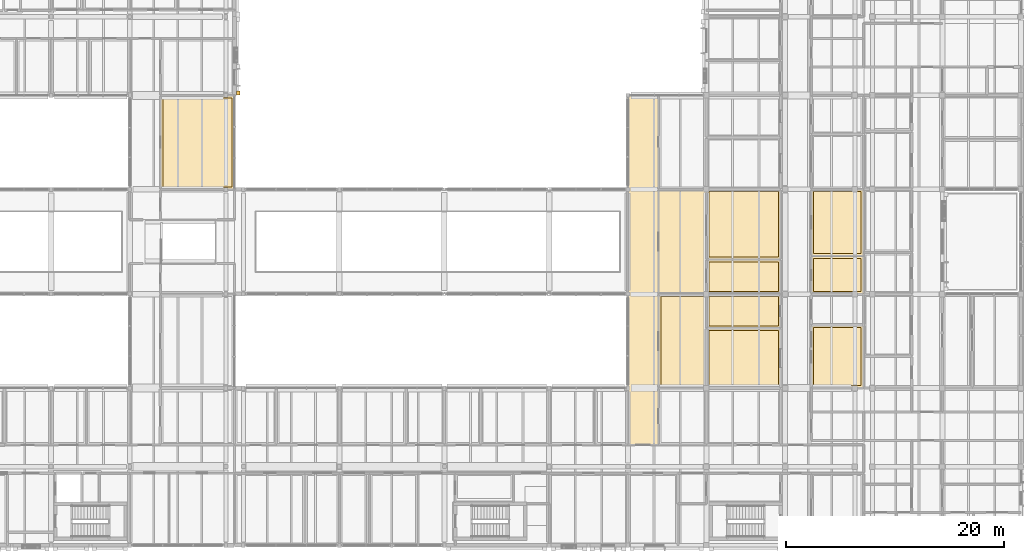
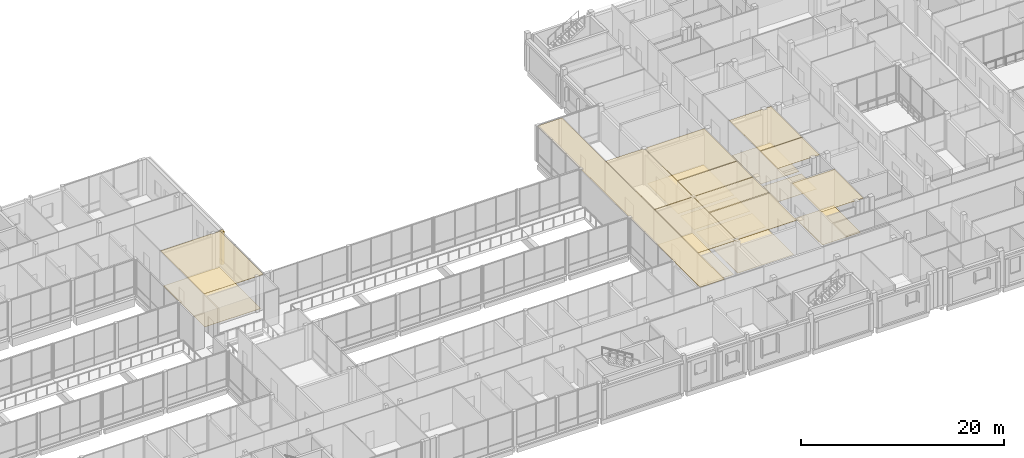
# One storey, part 140 of 146: 21 coverings.
"""IFC4 building model written with IfcOpenShell, lengths in metres."""

from ifc_helpers import new_model, si_unit, direction, frame, origin, origin_2d, place, context, subcontext, project, spatial, polyline, rectangle, outline, extrude, material, layer, layer_set, type_object, element, save


model = new_model("IFC4")

# Units and contexts
model_context = context("Model", 3, precision=1e-05, world=origin(), true_north=direction((0.0, 1.0)))
body_context = subcontext(model_context, "Body", "Model", "MODEL_VIEW")
ifc_project = project(units=[si_unit("LENGTHUNIT", "METRE"), si_unit("AREAUNIT", "SQUARE_METRE"), si_unit("VOLUMEUNIT", "CUBIC_METRE"), si_unit("PLANEANGLEUNIT", "RADIAN"), si_unit("MASSUNIT", "GRAM", prefix="KILO")], contexts=[model_context])

# Site, building, storey
site_placement = place(None, origin())
site = spatial("IfcSite", under=ifc_project, at=site_placement, CompositionType="ELEMENT")
building_placement = place(site_placement, origin())
building = spatial("IfcBuilding", under=site, at=building_placement, Name="Hawrajan Terrace Health Centre", CompositionType="ELEMENT")
storey_placement = place(building_placement, frame((0.0, 0.0, 4.5)))
storey = spatial("IfcBuildingStorey", under=building, at=storey_placement, Name="L01", CompositionType="ELEMENT", Elevation=4.5)

# Coverings
ifc_material_1 = material(Name="Precast concrete C40/50", Category="concrete")
ifc_layer_1 = layer(ifc_material_1, 0.340087890625)
ifc_layer_set_1 = layer_set([ifc_layer_1], Name="Precast concrete C40/50")
covering_type_1 = type_object("IfcCoveringType", Name="ArtDecoStonePilaster", PredefinedType="CLADDING", material=ifc_layer_set_1)
covering_1_placement = place(storey_placement, frame((72.125, 45.6201171875, 0.0), z_axis=(0.0, 0.0, 1.0), x_axis=(0.0, 1.0, 0.0)))
element("IfcCovering", 1, at=covering_1_placement, inside=storey, type_object=covering_type_1, Name="Art Deco fluted limestone pilaster FPIL-L01-0132", PredefinedType="CLADDING", context=body_context, shape_type="SweptSolid", body=[
    extrude(rectangle(XDim=0.39990234375, YDim=0.340087890625, at=origin_2d()), origin(), (0.0, 0.0, 1.0), 3.93994140625),
])
ifc_material_2 = material(Name="Acoustic linear cedar-slat suspended ceiling")
ifc_layer_2 = layer(ifc_material_2, 0.034912109375)
ifc_layer_set_2 = layer_set([ifc_layer_2], Name="Acoustic linear cedar-slat suspended ceiling")
covering_type_2 = type_object("IfcCoveringType", Name="CedarSlatHallCeiling_35", PredefinedType="CEILING", material=ifc_layer_set_2)
covering_2_placement = place(storey_placement, frame((0.0, 0.0, 4.14501953125)))
element("IfcCovering", 2, at=covering_2_placement, inside=storey, type_object=covering_type_2, Name="Suspended ceiling L01-072", PredefinedType="CEILING", context=body_context, shape_type="SweptSolid", body=[
    extrude(outline(polyline([(65.02001953125, 45.3798828125), (71.77490234375, 45.3798828125), (71.77490234375, 36.820068359375), (65.02001953125, 36.820068359375), (65.02001953125, 45.3798828125)])), origin(), (0.0, 0.0, 1.0), 0.034912109375),
])
covering_3_placement = place(storey_placement, frame((0.0, 0.0, 4.14501953125)))
element("IfcCovering", 3, at=covering_3_placement, inside=storey, type_object=covering_type_2, Name="Suspended ceiling L01-073", PredefinedType="CEILING", context=body_context, shape_type="SweptSolid", body=[
    extrude(outline(polyline([(110.6201171875, 27.179931640625), (114.97998046875, 27.179931640625), (114.97998046875, 18.6201171875), (110.6201171875, 18.6201171875), (110.6201171875, 27.179931640625)])), origin(), (0.0, 0.0, 1.0), 0.034912109375),
])
covering_4_placement = place(storey_placement, frame((0.0, 0.0, 4.14501953125)))
element("IfcCovering", 4, at=covering_4_placement, inside=storey, type_object=covering_type_2, Name="Suspended ceiling L01-074", PredefinedType="CEILING", context=body_context, shape_type="SweptSolid", body=[
    extrude(outline(polyline([(110.6201171875, 36.780029296875), (114.97998046875, 36.780029296875), (114.97998046875, 27.219970703125), (110.6201171875, 27.219970703125), (110.6201171875, 36.780029296875)])), origin(), (0.0, 0.0, 1.0), 0.034912109375),
])
ifc_material_3 = material(Name="Hygienic mineral-fibre acoustic tile ceiling")
ifc_layer_3 = layer(ifc_material_3, 0.02490234375)
ifc_layer_set_3 = layer_set([ifc_layer_3], Name="Hygienic mineral-fibre acoustic tile ceiling")
covering_type_3 = type_object("IfcCoveringType", Name="ClinicalAcousticCeiling_25", PredefinedType="CEILING", material=ifc_layer_set_3)
covering_5_placement = place(storey_placement, frame((0.0, 0.0, 4.155029296875)))
element("IfcCovering", 5, at=covering_5_placement, inside=storey, type_object=covering_type_3, Name="Suspended ceiling L01-059", PredefinedType="CEILING", context=body_context, shape_type="SweptSolid", body=[
    extrude(outline(polyline([(107.820068359375, 45.3798828125), (110.580078125, 45.3798828125), (110.580078125, 13.419921875), (107.820068359375, 13.419921875), (107.820068359375, 45.3798828125)])), origin(), (0.0, 0.0, 1.0), 0.02490234375),
])
covering_6_placement = place(storey_placement, frame((0.0, 0.0, 4.155029296875)))
element("IfcCovering", 6, at=covering_6_placement, inside=storey, type_object=covering_type_3, Name="Suspended ceiling L01-142", PredefinedType="CEILING", context=body_context, shape_type="SweptSolid", body=[
    extrude(outline(polyline([(115.02001953125, 24.049560546875), (121.780029296875, 24.049560546875), (121.780029296875, 18.6201171875), (115.02001953125, 18.6201171875), (115.02001953125, 24.049560546875)])), origin(), (0.0, 0.0, 1.0), 0.02490234375),
])
covering_7_placement = place(storey_placement, frame((0.0, 0.0, 4.155029296875)))
element("IfcCovering", 7, at=covering_7_placement, inside=storey, type_object=covering_type_3, Name="Suspended ceiling L01-143", PredefinedType="CEILING", context=body_context, shape_type="SweptSolid", body=[
    extrude(outline(polyline([(115.02001953125, 27.179931640625), (121.780029296875, 27.179931640625), (121.780029296875, 24.089599609375), (115.02001953125, 24.089599609375), (115.02001953125, 27.179931640625)])), origin(), (0.0, 0.0, 1.0), 0.02490234375),
])
covering_8_placement = place(storey_placement, frame((0.0, 0.0, 4.155029296875)))
element("IfcCovering", 8, at=covering_8_placement, inside=storey, type_object=covering_type_3, Name="Suspended ceiling L01-144", PredefinedType="CEILING", context=body_context, shape_type="SweptSolid", body=[
    extrude(outline(polyline([(115.02001953125, 30.33837890625), (121.780029296875, 30.33837890625), (121.780029296875, 27.219970703125), (115.02001953125, 27.219970703125), (115.02001953125, 30.33837890625)])), origin(), (0.0, 0.0, 1.0), 0.02490234375),
])
covering_9_placement = place(storey_placement, frame((0.0, 0.0, 4.155029296875)))
element("IfcCovering", 9, at=covering_9_placement, inside=storey, type_object=covering_type_3, Name="Suspended ceiling L01-145", PredefinedType="CEILING", context=body_context, shape_type="SweptSolid", body=[
    extrude(outline(polyline([(115.02001953125, 36.780029296875), (121.780029296875, 36.780029296875), (121.780029296875, 30.37841796875), (115.02001953125, 30.37841796875), (115.02001953125, 36.780029296875)])), origin(), (0.0, 0.0, 1.0), 0.02490234375),
])
covering_10_placement = place(storey_placement, frame((0.0, 0.0, 4.155029296875)))
element("IfcCovering", 10, at=covering_10_placement, inside=storey, type_object=covering_type_3, Name="Suspended ceiling L01-151", PredefinedType="CEILING", context=body_context, shape_type="SweptSolid", body=[
    extrude(outline(polyline([(124.6201171875, 24.3505859375), (129.375, 24.3505859375), (129.375, 18.6201171875), (124.6201171875, 18.6201171875), (124.6201171875, 24.3505859375)])), origin(), (0.0, 0.0, 1.0), 0.02490234375),
])
covering_11_placement = place(storey_placement, frame((0.0, 0.0, 4.155029296875)))
element("IfcCovering", 11, at=covering_11_placement, inside=storey, type_object=covering_type_3, Name="Suspended ceiling L01-153", PredefinedType="CEILING", context=body_context, shape_type="SweptSolid", body=[
    extrude(outline(polyline([(124.6201171875, 30.67431640625), (129.375, 30.67431640625), (129.375, 27.219970703125), (124.6201171875, 27.219970703125), (124.6201171875, 30.67431640625)])), origin(), (0.0, 0.0, 1.0), 0.02490234375),
])
covering_12_placement = place(storey_placement, frame((0.0, 0.0, 4.155029296875)))
element("IfcCovering", 12, at=covering_12_placement, inside=storey, type_object=covering_type_3, Name="Suspended ceiling L01-154", PredefinedType="CEILING", context=body_context, shape_type="SweptSolid", body=[
    extrude(outline(polyline([(124.6201171875, 36.780029296875), (129.375, 36.780029296875), (129.375, 30.71435546875), (124.6201171875, 30.71435546875), (124.6201171875, 36.780029296875)])), origin(), (0.0, 0.0, 1.0), 0.02490234375),
])
ifc_material_4 = material(Name="Seamless medical-grade cushioned vinyl flooring")
ifc_layer_4 = layer(ifc_material_4, 0.011962890625)
ifc_layer_set_4 = layer_set([ifc_layer_4], Name="Seamless medical-grade cushioned vinyl flooring")
covering_type_4 = type_object("IfcCoveringType", Name="ClinicalVinylFlooring_12", PredefinedType="FLOORING", material=ifc_layer_set_4)
covering_13_placement = place(storey_placement, origin())
element("IfcCovering", 13, at=covering_13_placement, inside=storey, type_object=covering_type_4, Name="Floor finish L01-142", PredefinedType="FLOORING", context=body_context, shape_type="SweptSolid", body=[
    extrude(outline(polyline([(115.219970703125, 23.849609375), (121.580078125, 23.849609375), (121.580078125, 18.820068359375), (115.219970703125, 18.820068359375), (115.219970703125, 23.849609375)])), origin(), (0.0, 0.0, 1.0), 0.011962890625),
])
covering_14_placement = place(storey_placement, origin())
element("IfcCovering", 14, at=covering_14_placement, inside=storey, type_object=covering_type_4, Name="Floor finish L01-143", PredefinedType="FLOORING", context=body_context, shape_type="SweptSolid", body=[
    extrude(outline(polyline([(115.219970703125, 26.97998046875), (121.580078125, 26.97998046875), (121.580078125, 24.28955078125), (115.219970703125, 24.28955078125), (115.219970703125, 26.97998046875)])), origin(), (0.0, 0.0, 1.0), 0.011962890625),
])
covering_15_placement = place(storey_placement, origin())
element("IfcCovering", 15, at=covering_15_placement, inside=storey, type_object=covering_type_4, Name="Floor finish L01-144", PredefinedType="FLOORING", context=body_context, shape_type="SweptSolid", body=[
    extrude(outline(polyline([(115.219970703125, 30.138427734375), (121.580078125, 30.138427734375), (121.580078125, 27.419921875), (115.219970703125, 27.419921875), (115.219970703125, 30.138427734375)])), origin(), (0.0, 0.0, 1.0), 0.011962890625),
])
covering_16_placement = place(storey_placement, origin())
element("IfcCovering", 16, at=covering_16_placement, inside=storey, type_object=covering_type_4, Name="Floor finish L01-145", PredefinedType="FLOORING", context=body_context, shape_type="SweptSolid", body=[
    extrude(outline(polyline([(115.219970703125, 36.580078125), (121.580078125, 36.580078125), (121.580078125, 30.578369140625), (115.219970703125, 30.578369140625), (115.219970703125, 36.580078125)])), origin(), (0.0, 0.0, 1.0), 0.011962890625),
])
covering_17_placement = place(storey_placement, origin())
element("IfcCovering", 17, at=covering_17_placement, inside=storey, type_object=covering_type_4, Name="Floor finish L01-151", PredefinedType="FLOORING", context=body_context, shape_type="SweptSolid", body=[
    extrude(outline(polyline([(124.820068359375, 24.150634765625), (129.175048828125, 24.150634765625), (129.175048828125, 18.820068359375), (124.820068359375, 18.820068359375), (124.820068359375, 24.150634765625)])), origin(), (0.0, 0.0, 1.0), 0.011962890625),
])
covering_18_placement = place(storey_placement, origin())
element("IfcCovering", 18, at=covering_18_placement, inside=storey, type_object=covering_type_4, Name="Floor finish L01-153", PredefinedType="FLOORING", context=body_context, shape_type="SweptSolid", body=[
    extrude(outline(polyline([(124.820068359375, 30.474365234375), (129.175048828125, 30.474365234375), (129.175048828125, 27.419921875), (124.820068359375, 27.419921875), (124.820068359375, 30.474365234375)])), origin(), (0.0, 0.0, 1.0), 0.011962890625),
])
covering_19_placement = place(storey_placement, origin())
element("IfcCovering", 19, at=covering_19_placement, inside=storey, type_object=covering_type_4, Name="Floor finish L01-154", PredefinedType="FLOORING", context=body_context, shape_type="SweptSolid", body=[
    extrude(outline(polyline([(124.820068359375, 36.580078125), (129.175048828125, 36.580078125), (129.175048828125, 30.914306640625), (124.820068359375, 30.914306640625), (124.820068359375, 36.580078125)])), origin(), (0.0, 0.0, 1.0), 0.011962890625),
])
ifc_material_5 = material(Name="Polished coral-aggregate terrazzo flooring")
ifc_layer_5 = layer(ifc_material_5, 0.02001953125)
ifc_layer_set_5 = layer_set([ifc_layer_5], Name="Polished coral-aggregate terrazzo flooring")
covering_type_5 = type_object("IfcCoveringType", Name="TerrazzoHallFlooring_20", PredefinedType="FLOORING", material=ifc_layer_set_5)
covering_20_placement = place(storey_placement, origin())
element("IfcCovering", 20, at=covering_20_placement, inside=storey, type_object=covering_type_5, Name="Floor finish L01-072", PredefinedType="FLOORING", context=body_context, shape_type="SweptSolid", body=[
    extrude(outline(polyline([(65.219970703125, 45.179931640625), (71.574951171875, 45.179931640625), (71.574951171875, 37.02001953125), (65.219970703125, 37.02001953125), (65.219970703125, 45.179931640625)])), origin(), (0.0, 0.0, 1.0), 0.02001953125),
])
covering_21_placement = place(storey_placement, origin())
element("IfcCovering", 21, at=covering_21_placement, inside=storey, type_object=covering_type_5, Name="Floor finish L01-073", PredefinedType="FLOORING", context=body_context, shape_type="SweptSolid", body=[
    extrude(outline(polyline([(110.820068359375, 26.97998046875), (114.780029296875, 26.97998046875), (114.780029296875, 18.820068359375), (110.820068359375, 18.820068359375), (110.820068359375, 26.97998046875)])), origin(), (0.0, 0.0, 1.0), 0.02001953125),
])

save(model, "model.ifc")
